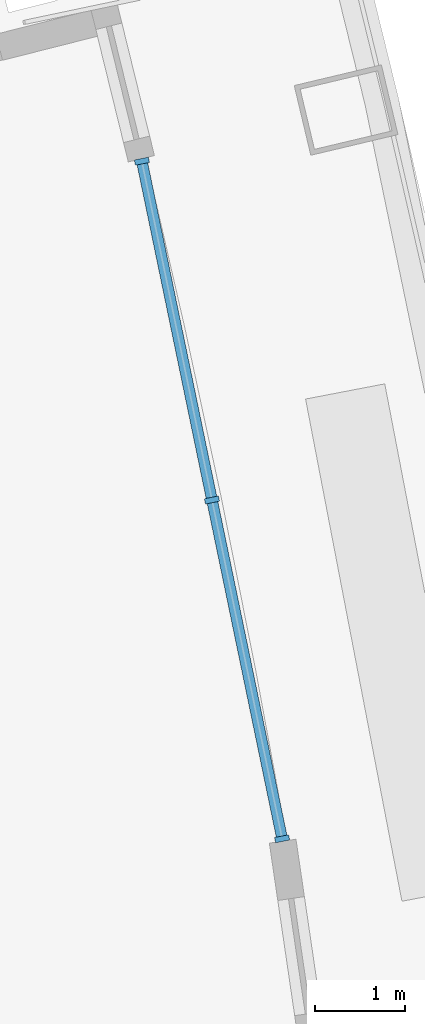
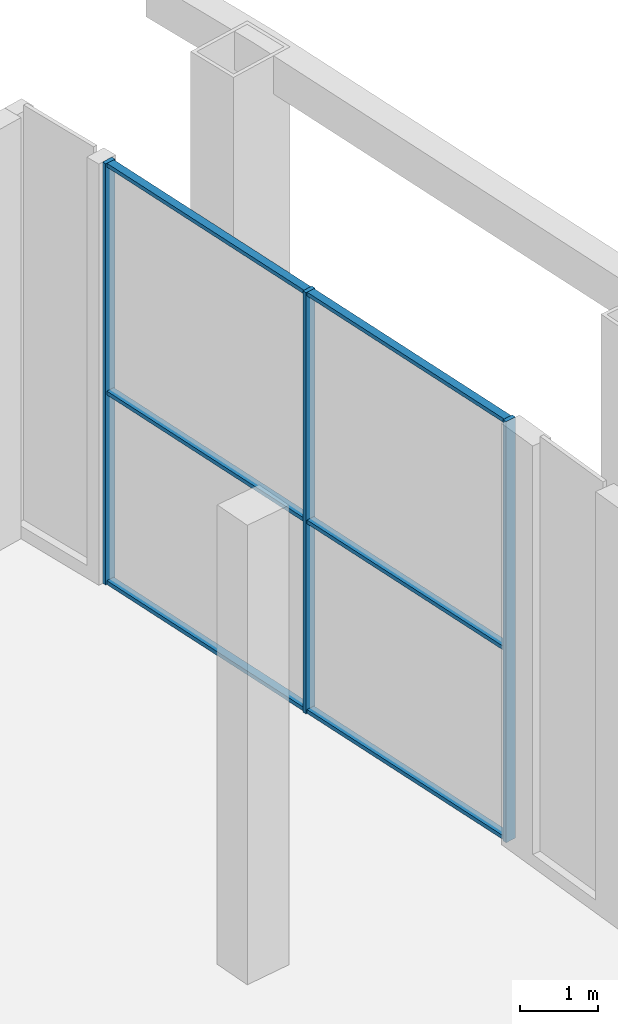
# One storey, part 11 of 25: 9 members, 1 element without a shape of its own.
"""IFC4 building model written with IfcOpenShell, lengths in metres."""

from ifc_helpers import new_model, si_unit, direction, frame, origin, origin_2d, place, context, subcontext, project, spatial, rectangle, extrude, material, layer, layer_set, material_profile, profile_set, type_object, element, aggregate, save


model = new_model("IFC4")

# Units and contexts
model_context = context("Model", 3, precision=1e-05, world=origin(), true_north=direction((0.0, 1.0)))
body_context = subcontext(model_context, "Body", "Model", "MODEL_VIEW")
ifc_project = project(units=[si_unit("LENGTHUNIT", "METRE"), si_unit("AREAUNIT", "SQUARE_METRE"), si_unit("VOLUMEUNIT", "CUBIC_METRE"), si_unit("PLANEANGLEUNIT", "RADIAN"), si_unit("MASSUNIT", "GRAM", prefix="KILO")], contexts=[model_context])

# Site, building, storey
site_placement = place(None, origin())
site = spatial("IfcSite", under=ifc_project, at=site_placement, CompositionType="ELEMENT")
building_placement = place(site_placement, origin())
building = spatial("IfcBuilding", under=site, at=building_placement, Name="Alderwake Tower", CompositionType="ELEMENT")
storey_placement = place(building_placement, frame((0.0, 0.0, 288.800048828125)))
storey = spatial("IfcBuildingStorey", under=building, at=storey_placement, Name="L72", CompositionType="ELEMENT", Elevation=288.800048828125)

# Curtain wall, members
ifc_material_1 = material(Name="Bronze tinted glass in aluminium frame", Category="aluminium")
ifc_layer = layer(ifc_material_1, 0.199951171875)
ifc_layer_set = layer_set([ifc_layer], Name="Curtain wall CW3 sky garden glazing")
curtain_wall_type = type_object("IfcCurtainWallType", Name="Curtain wall CW3 sky garden glazing", PredefinedType="NOTDEFINED", material=ifc_layer_set)
curtain_wall_placement = place(storey_placement, origin())
curtain_wall = element("IfcCurtainWall", 1, at=curtain_wall_placement, inside=storey, type_object=curtain_wall_type, Name="Curtain wall 7", PredefinedType="NOTDEFINED")
ifc_material_2 = material(Name="Aluminium bronze anodised", Category="aluminium")
ifc_material_profile_1 = material_profile(ifc_material_2, rectangle(XDim=0.159912109375, YDim=0.06005859375, at=origin_2d()), Name="Mullion MUC 60x160")
ifc_profile_set_1 = profile_set([ifc_material_profile_1], Name="Aluminium bronze anodised")
member_type_1 = type_object("IfcMemberType", Name="Mullion MUC 60x160", PredefinedType="MULLION", material=ifc_profile_set_1)
member_1_placement = place(storey_placement, frame((51.406005859375, 84.2626953125, 0.0), z_axis=(0.0, 0.0, 1.0), x_axis=(-0.979230446978, -0.20275041729, 0.0)))
member_1 = element("IfcMember", 2, at=member_1_placement, type_object=member_type_1, Name="CW.07 mullion 1", PredefinedType="MULLION", context=body_context, shape_type="SweptSolid", body=[
    extrude(rectangle(XDim=0.159912109375, YDim=0.06005859375, at=origin_2d()), origin(), (0.0, 0.0, 1.0), 6.599853515625),
])
member_2_placement = place(storey_placement, frame((50.62255859375, 88.045654296875, 0.0), z_axis=(0.0, 0.0, 1.0), x_axis=(-0.979230446978, -0.20275041729, 0.0)))
member_2 = element("IfcMember", 3, at=member_2_placement, type_object=member_type_1, Name="CW.07 mullion 2", PredefinedType="MULLION", context=body_context, shape_type="SweptSolid", body=[
    extrude(rectangle(XDim=0.159912109375, YDim=0.06005859375, at=origin_2d()), origin(), (0.0, 0.0, 1.0), 6.599853515625),
])
member_3_placement = place(storey_placement, frame((49.83935546875, 91.82861328125, 0.0), z_axis=(0.0, 0.0, 1.0), x_axis=(-0.979230446978, -0.20275041729, 0.0)))
member_3 = element("IfcMember", 4, at=member_3_placement, type_object=member_type_1, Name="CW.07 mullion 3", PredefinedType="MULLION", context=body_context, shape_type="SweptSolid", body=[
    extrude(rectangle(XDim=0.159912109375, YDim=0.06005859375, at=origin_2d()), origin(), (0.0, 0.0, 1.0), 6.599853515625),
])
ifc_material_3 = material(Name="Aluminium bronze anodised", Category="aluminium")
ifc_material_profile_2 = material_profile(ifc_material_3, rectangle(XDim=0.1201171875, YDim=0.06005859375, at=origin_2d()), Name="Transom TRC 60x120")
ifc_profile_set_2 = profile_set([ifc_material_profile_2], Name="Aluminium bronze anodised")
member_type_2 = type_object("IfcMemberType", Name="Transom TRC 60x120", PredefinedType="USERDEFINED", material=ifc_profile_set_2)
member_4_placement = place(storey_placement, frame((51.39990234375, 84.2919921875, 0.030029296875), z_axis=(-0.202777531692, 0.979224832529, 0.0), x_axis=(-0.979224832529, -0.202777531692, 0.0)))
member_4 = element("IfcMember", 5, at=member_4_placement, type_object=member_type_2, Name="CW.07 transom 1.1", ObjectType="TRANSOM", PredefinedType="USERDEFINED", context=body_context, shape_type="SweptSolid", body=[
    extrude(rectangle(XDim=0.1201171875, YDim=0.06005859375, at=origin_2d()), origin(), (0.0, 0.0, 1.0), 3.803466796875),
])
member_5_placement = place(storey_placement, frame((51.39990234375, 84.2919921875, 3.0), z_axis=(-0.202777531692, 0.979224832529, 0.0), x_axis=(-0.979224832529, -0.202777531692, 0.0)))
member_5 = element("IfcMember", 6, at=member_5_placement, type_object=member_type_2, Name="CW.07 transom 1.2", ObjectType="TRANSOM", PredefinedType="USERDEFINED", context=body_context, shape_type="SweptSolid", body=[
    extrude(rectangle(XDim=0.1201171875, YDim=0.06005859375, at=origin_2d()), origin(), (0.0, 0.0, 1.0), 3.803466796875),
])
member_6_placement = place(storey_placement, frame((51.39990234375, 84.2919921875, 6.570068359375), z_axis=(-0.202777531692, 0.979224832529, 0.0), x_axis=(-0.979224832529, -0.202777531692, 0.0)))
member_6 = element("IfcMember", 7, at=member_6_placement, type_object=member_type_2, Name="CW.07 transom 1.3", ObjectType="TRANSOM", PredefinedType="USERDEFINED", context=body_context, shape_type="SweptSolid", body=[
    extrude(rectangle(XDim=0.1201171875, YDim=0.06005859375, at=origin_2d()), origin(), (0.0, 0.0, 1.0), 3.803466796875),
])
member_7_placement = place(storey_placement, frame((50.616455078125, 88.074951171875, 0.030029296875), z_axis=(-0.2027159795, 0.979237576717, 0.0), x_axis=(-0.979237576717, -0.2027159795, 0.0)))
member_7 = element("IfcMember", 8, at=member_7_placement, type_object=member_type_2, Name="CW.07 transom 2.1", ObjectType="TRANSOM", PredefinedType="USERDEFINED", context=body_context, shape_type="SweptSolid", body=[
    extrude(rectangle(XDim=0.1201171875, YDim=0.06005859375, at=origin_2d()), origin(), (0.0, 0.0, 1.0), 3.80322265625),
])
member_8_placement = place(storey_placement, frame((50.616455078125, 88.074951171875, 3.0), z_axis=(-0.2027159795, 0.979237576717, 0.0), x_axis=(-0.979237576717, -0.2027159795, 0.0)))
member_8 = element("IfcMember", 9, at=member_8_placement, type_object=member_type_2, Name="CW.07 transom 2.2", ObjectType="TRANSOM", PredefinedType="USERDEFINED", context=body_context, shape_type="SweptSolid", body=[
    extrude(rectangle(XDim=0.1201171875, YDim=0.06005859375, at=origin_2d()), origin(), (0.0, 0.0, 1.0), 3.80322265625),
])
member_9_placement = place(storey_placement, frame((50.616455078125, 88.074951171875, 6.570068359375), z_axis=(-0.2027159795, 0.979237576717, 0.0), x_axis=(-0.979237576717, -0.2027159795, 0.0)))
member_9 = element("IfcMember", 10, at=member_9_placement, type_object=member_type_2, Name="CW.07 transom 2.3", ObjectType="TRANSOM", PredefinedType="USERDEFINED", context=body_context, shape_type="SweptSolid", body=[
    extrude(rectangle(XDim=0.1201171875, YDim=0.06005859375, at=origin_2d()), origin(), (0.0, 0.0, 1.0), 3.80322265625),
])
aggregate(curtain_wall, [member_1, member_2, member_3, member_4, member_5, member_6, member_7, member_8, member_9])

save(model, "model.ifc")
